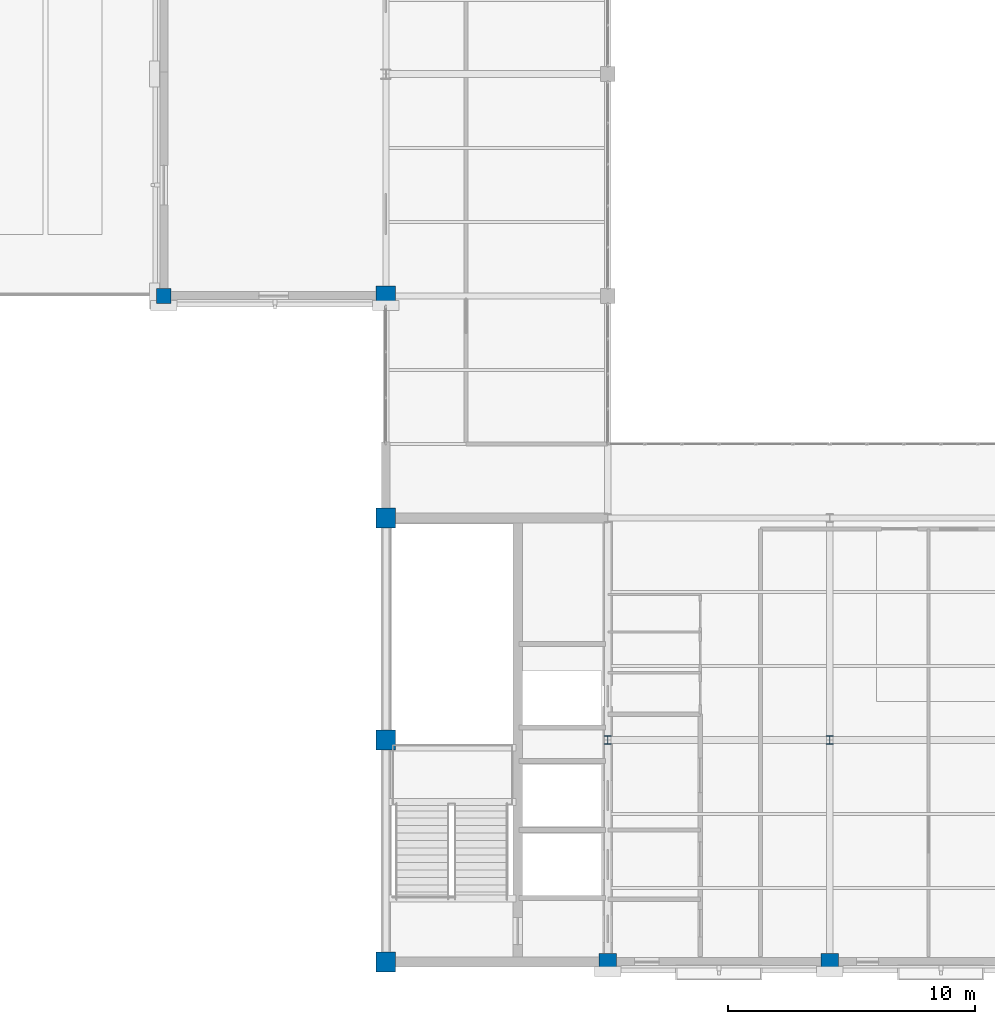
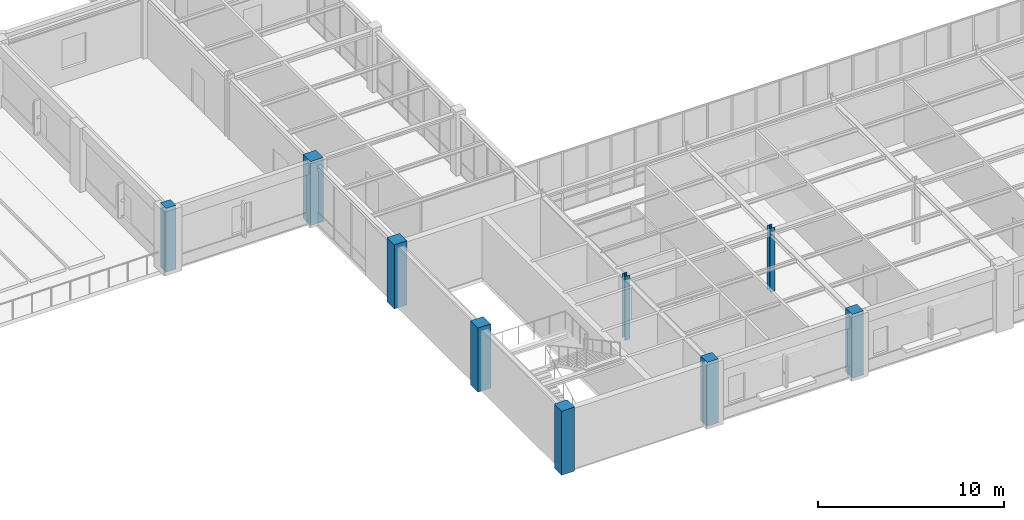
# One storey, part 1 of 97: 9 columns.
"""IFC4 building model written with IfcOpenShell, lengths in metres."""

import ifcopenshell
import ifcopenshell.guid

model = None  # the IFC model being written
_history = None  # IfcOwnerHistory: only IFC2X3 demands one
_inside = {}  # id of a spatial element -> (the spatial element, [elements in it])
_under = {}  # id of a project, library or spatial element -> (it, [spatial elements below it])
_declared = {}  # id of a project -> (the project, [libraries it declares])
_typed = {}  # id of a type object -> (the type object, [elements of that type])
_made_of = {}  # id of a material, layer set ... -> (it, [elements and type objects made of it])


def new_model(schema):
    """Start an empty IFC model of exactly this schema.

    Asked for "IFC4X3", IfcOpenShell would pick the latest addendum, in which some entities
    have other attributes; the version numbers below select the first issue.
    IFC2X3 requires an IfcOwnerHistory on every rooted entity: one is made here for all.
    """
    global model, _history
    if schema == "IFC4X3":
        model = ifcopenshell.file(schema_version=(4, 3, 0, 0))
    else:
        model = ifcopenshell.file(schema=schema)
    _inside.clear()
    _under.clear()
    _declared.clear()
    _typed.clear()
    _made_of.clear()
    _history = None
    if model.schema == "IFC2X3":
        org = make("IfcOrganization", Name="unknown")
        user = make(
            "IfcPersonAndOrganization",
            ThePerson=make("IfcPerson", FamilyName="unknown"),
            TheOrganization=org,
        )
        app = make(
            "IfcApplication",
            ApplicationDeveloper=org,
            Version="unknown",
            ApplicationFullName="unknown",
            ApplicationIdentifier="unknown",
        )
        _history = make(
            "IfcOwnerHistory",
            OwningUser=user,
            OwningApplication=app,
            ChangeAction="ADDED",
            CreationDate=0,
        )
    return model


def make(cls, **values):
    """One entity of the class cls with the attributes given. An attribute that is None is left unset."""
    return model.create_entity(
        cls, **{name: value for name, value in values.items() if value is not None}
    )


def rooted(cls, **values):
    """An entity with a GlobalId (a new one), such as an element, a storey or a relation."""
    return make(cls, GlobalId=ifcopenshell.guid.new(), OwnerHistory=_history, **values)


def si_unit(unit_type, name, prefix=None):
    """IfcSIUnit, for example si_unit("LENGTHUNIT", "METRE", prefix="MILLI")."""
    return make("IfcSIUnit", UnitType=unit_type, Prefix=prefix, Name=name)


def assignment(units):
    """IfcUnitAssignment: the units of a project."""
    return None if units is None else make("IfcUnitAssignment", Units=units)


def point(xyz):
    """IfcCartesianPoint."""
    return None if xyz is None else make("IfcCartesianPoint", Coordinates=xyz)


def direction(xyz):
    """IfcDirection."""
    return None if xyz is None else make("IfcDirection", DirectionRatios=xyz)


def frame(location, z_axis=None, x_axis=None):
    """IfcAxis2Placement3D, a coordinate frame: its origin and axes. An axis left out is left unset."""
    return make(
        "IfcAxis2Placement3D",
        Location=point(location),
        Axis=direction(z_axis),
        RefDirection=direction(x_axis),
    )


def frame_2d(location, x_axis=None):
    """IfcAxis2Placement2D, a coordinate frame in the plane: its origin and x axis."""
    return make(
        "IfcAxis2Placement2D", Location=point(location), RefDirection=direction(x_axis)
    )


def origin():
    """The frame at (0, 0, 0) with its axes left unset."""
    return frame((0.0, 0.0, 0.0))


def origin_2d():
    """The frame at (0, 0) in the plane with its x axis left unset."""
    return frame_2d((0.0, 0.0))


def place(relative_to, where):
    """IfcLocalPlacement: puts the frame where relative to a parent placement (None: the world)."""
    return make(
        "IfcLocalPlacement", PlacementRelTo=relative_to, RelativePlacement=where
    )


def context(
    kind, dimensions, precision=None, world=None, true_north=None, identifier=None
):
    """IfcGeometricRepresentationContext, for example the 3D "Model" context."""
    return make(
        "IfcGeometricRepresentationContext",
        ContextIdentifier=identifier,
        ContextType=kind,
        CoordinateSpaceDimension=dimensions,
        Precision=precision,
        WorldCoordinateSystem=world,
        TrueNorth=true_north,
    )


def subcontext(parent, identifier, kind, view, scale=None):
    """IfcGeometricRepresentationSubContext, for example "Body" below "Model"."""
    return make(
        "IfcGeometricRepresentationSubContext",
        ContextIdentifier=identifier,
        ContextType=kind,
        ParentContext=parent,
        TargetScale=scale,
        TargetView=view,
    )


def project(units=None, contexts=None):
    """IfcProject with its units and contexts."""
    return rooted(
        "IfcProject",
        Name="project",
        RepresentationContexts=contexts,
        UnitsInContext=assignment(units),
    )


def spatial(cls, under=None, at=None, **own):
    """A site, building, storey or space (cls), placed at a placement, below another one or the project."""
    s = rooted(cls, ObjectPlacement=at, **own)
    if under is not None:
        _under.setdefault(under.id(), (under, []))[1].append(s)
    return s


def profile(cls, at=None, kind="AREA", **sizes):
    """A parametric profile (cls). Its sizes go by their IFC names, for example OverallWidth=200.0."""
    return make(cls, ProfileType=kind, Position=at, **sizes)


def rectangle(**sizes):
    """IfcRectangleProfileDef."""
    return profile("IfcRectangleProfileDef", **sizes)


def i_section(**sizes):
    """IfcIShapeProfileDef."""
    return profile("IfcIShapeProfileDef", **sizes)


def extrude(swept, where, along, depth):
    """IfcExtrudedAreaSolid: the profile swept, set in the frame where, extruded along a direction by depth."""
    return make(
        "IfcExtrudedAreaSolid",
        SweptArea=swept,
        Position=where,
        ExtrudedDirection=direction(along),
        Depth=depth,
    )


def shape(context_of_items, identifier, shape_type, items):
    """IfcShapeRepresentation: the items that make up one representation, for example the "Body"."""
    return make(
        "IfcShapeRepresentation",
        ContextOfItems=context_of_items,
        RepresentationIdentifier=identifier,
        RepresentationType=shape_type,
        Items=items,
    )


def material(Name=None, Category=None):
    """IfcMaterial."""
    return make("IfcMaterial", Name=Name, Category=Category)


def material_profile(
    of_material, cross_section, Name=None, Category=None, Priority=None
):
    """IfcMaterialProfile: a cross section and its material."""
    return make(
        "IfcMaterialProfile",
        Name=Name,
        Material=of_material,
        Profile=cross_section,
        Priority=Priority,
        Category=Category,
    )


def profile_set(profiles, Name=None, composite=None):
    """IfcMaterialProfileSet."""
    return make(
        "IfcMaterialProfileSet",
        Name=Name,
        MaterialProfiles=profiles,
        CompositeProfile=composite,
    )


def made_of(thing, what):
    """Note that an element or type object is made of a material, layer set ...; save() writes the relation."""
    if what is not None:
        _made_of.setdefault(what.id(), (what, []))[1].append(thing)
    return thing


def type_object(cls, material=None, **own):
    """A type object (cls), such as IfcWallType, which elements share."""
    return made_of(rooted(cls, **own), material)


def element(
    cls,
    number,
    at=None,
    inside=None,
    cuts=None,
    type_object=None,
    material=None,
    context=None,
    identifier="Body",
    shape_type=None,
    held_by="IfcProductDefinitionShape",
    body=None,
    shapes=None,
    **own,
):
    """One element of the class cls, such as IfcWall. Its Tag is "e" and its number.

    at: its placement. inside: the storey or other place that contains it. cuts: it is an
    opening in that element (IfcRelVoidsElement). A single representation is given by context,
    identifier, shape_type and body (its items); several are given by shapes. held_by: the class
    of the entity that holds the representations. save() writes the other relations.
    """
    e = rooted(cls, Tag="e%d" % number, ObjectPlacement=at, **own)
    if body is not None:
        shapes = [shape(context, identifier, shape_type, body)]
    if shapes is not None:
        e.Representation = make(held_by, Representations=shapes)
    if inside is not None:
        _inside.setdefault(inside.id(), (inside, []))[1].append(e)
    if cuts is not None:
        rooted(
            "IfcRelVoidsElement", RelatingBuildingElement=cuts, RelatedOpeningElement=e
        )
    if type_object is not None:
        _typed.setdefault(type_object.id(), (type_object, []))[1].append(e)
    return made_of(e, material)


def aggregate(whole, parts):
    """IfcRelAggregates: a whole, such as a stair, and the parts it consists of."""
    return rooted("IfcRelAggregates", RelatingObject=whole, RelatedObjects=parts)


def save(model, path):
    """Write the relations noted so far, then the file.

    IfcRelAggregates (storeys below a building ...), IfcRelContainedInSpatialStructure (elements
    in a storey), IfcRelDefinesByType, IfcRelAssociatesMaterial and IfcRelDeclares: one each for
    every whole, place, type object, material and project.
    """
    for whole, parts in _under.values():
        aggregate(whole, parts)
    for where, things in _inside.values():
        rooted(
            "IfcRelContainedInSpatialStructure",
            RelatedElements=things,
            RelatingStructure=where,
        )
    for kind, things in _typed.values():
        rooted("IfcRelDefinesByType", RelatedObjects=things, RelatingType=kind)
    for what, things in _made_of.values():
        rooted("IfcRelAssociatesMaterial", RelatedObjects=things, RelatingMaterial=what)
    for by, libraries in _declared.values():
        rooted("IfcRelDeclares", RelatingContext=by, RelatedDefinitions=libraries)
    model.write(path)


model = new_model("IFC4")

# Units and contexts
model_context = context("Model", 3, precision=1e-05, world=origin(), true_north=direction((0.0, 1.0)))
body_context = subcontext(model_context, "Body", "Model", "MODEL_VIEW")
ifc_project = project(units=[si_unit("LENGTHUNIT", "METRE"), si_unit("AREAUNIT", "SQUARE_METRE"), si_unit("VOLUMEUNIT", "CUBIC_METRE"), si_unit("PLANEANGLEUNIT", "RADIAN"), si_unit("MASSUNIT", "GRAM", prefix="KILO")], contexts=[model_context])

# Site, building, storey
site_placement = place(None, origin())
site = spatial("IfcSite", under=ifc_project, at=site_placement, CompositionType="ELEMENT")
building_placement = place(site_placement, origin())
building = spatial("IfcBuilding", under=site, at=building_placement, Name="Lykobir Media Centre", CompositionType="ELEMENT")
storey_placement = place(building_placement, frame((0.0, 0.0, 23.39990234375)))
storey = spatial("IfcBuildingStorey", under=building, at=storey_placement, Name="L05", CompositionType="ELEMENT", Elevation=23.39990234375)

# Columns
ifc_material_1 = material(Name="Concrete C40/50", Category="concrete")
ifc_material_profile_1 = material_profile(ifc_material_1, rectangle(XDim=0.60009765625, YDim=0.60009765625, at=origin_2d()), Name="RC 600x600")
ifc_profile_set_1 = profile_set([ifc_material_profile_1], Name="Concrete C40/50")
column_type_1 = type_object("IfcColumnType", Name="RC-C600", PredefinedType="COLUMN", material=ifc_profile_set_1)
column_1_placement = place(storey_placement, frame((18.0, 27.0, 0.0), z_axis=(0.0, 0.0, 1.0), x_axis=(1.0, 0.0, 0.0)))
element("IfcColumn", 1, at=column_1_placement, inside=storey, type_object=column_type_1, Name="Column COL-L05-0180-0270", PredefinedType="COLUMN", context=body_context, shape_type="SweptSolid", body=[
    extrude(rectangle(XDim=0.60009765625, YDim=0.60009765625, at=origin_2d()), origin(), (0.0, 0.0, 1.0), 4.2001953125),
])
ifc_material_profile_2 = material_profile(ifc_material_1, rectangle(XDim=0.699951171875, YDim=0.699951171875, at=origin_2d()), Name="RC 700x700")
ifc_profile_set_2 = profile_set([ifc_material_profile_2], Name="Concrete C40/50")
column_type_2 = type_object("IfcColumnType", Name="RC-C700-E", PredefinedType="COLUMN", material=ifc_profile_set_2)
for number, where, z_axis, x_axis, name in (
    (2, (36.0, 0.0, 0.0), (0.0, 0.0, 1.0), (1.0, 0.0, 0.0), "Column COL-L05-0360-0000"),
    (3, (45.0, 0.0, 0.0), (0.0, 0.0, 1.0), (1.0, 0.0, 0.0), "Column COL-L05-0450-0000"),
):
    element("IfcColumn", number, at=place(storey_placement, frame(where, z_axis=z_axis, x_axis=x_axis)), inside=storey, type_object=column_type_2, Name=name, PredefinedType="COLUMN", context=body_context, shape_type="SweptSolid", body=[
        extrude(rectangle(XDim=0.699951171875, YDim=0.699951171875, at=origin_2d()), origin(), (0.0, 0.0, 1.0), 4.2001953125),
    ])
ifc_material_profile_3 = material_profile(ifc_material_1, rectangle(XDim=0.800048828125, YDim=0.800048828125, at=origin_2d()), Name="RC 800x800")
ifc_profile_set_3 = profile_set([ifc_material_profile_3], Name="Concrete C40/50")
column_type_3 = type_object("IfcColumnType", Name="RC-C800", PredefinedType="COLUMN", material=ifc_profile_set_3)
for number, where, z_axis, x_axis, name in (
    (4, (27.0, 9.0, 0.0), (0.0, 0.0, 1.0), (1.0, 0.0, 0.0), "Column COL-L05-0270-0090"),
    (5, (27.0, 18.0, 0.0), (0.0, 0.0, 1.0), (1.0, 0.0, 0.0), "Column COL-L05-0270-0180"),
    (6, (27.0, 27.0, 0.0), (0.0, 0.0, 1.0), (1.0, 0.0, 0.0), "Column COL-L05-0270-0270"),
):
    element("IfcColumn", number, at=place(storey_placement, frame(where, z_axis=z_axis, x_axis=x_axis)), inside=storey, type_object=column_type_3, Name=name, PredefinedType="COLUMN", context=body_context, shape_type="SweptSolid", body=[
        extrude(rectangle(XDim=0.800048828125, YDim=0.800048828125, at=origin_2d()), origin(), (0.0, 0.0, 1.0), 4.2001953125),
    ])
ifc_material_profile_4 = material_profile(ifc_material_1, rectangle(XDim=0.800048828125, YDim=0.800048828125, at=origin_2d()), Name="RC 800x800")
ifc_profile_set_4 = profile_set([ifc_material_profile_4], Name="Concrete C40/50")
column_type_4 = type_object("IfcColumnType", Name="RC-C800-E", PredefinedType="COLUMN", material=ifc_profile_set_4)
column_2_placement = place(storey_placement, frame((27.0, 0.0, 0.0), z_axis=(0.0, 0.0, 1.0), x_axis=(1.0, 0.0, 0.0)))
element("IfcColumn", 7, at=column_2_placement, inside=storey, type_object=column_type_4, Name="Column COL-L05-0270-0000", PredefinedType="COLUMN", context=body_context, shape_type="SweptSolid", body=[
    extrude(rectangle(XDim=0.800048828125, YDim=0.800048828125, at=origin_2d()), origin(), (0.0, 0.0, 1.0), 4.2001953125),
])
ifc_material_2 = material(Name="Steel S355", Category="steel")
ifc_material_profile_5 = material_profile(ifc_material_2, i_section(OverallWidth=0.300048828125, OverallDepth=0.340087890625, WebThickness=0.011962890625, FlangeThickness=0.021484375, at=origin_2d()), Name="HEB 340")
ifc_profile_set_5 = profile_set([ifc_material_profile_5], Name="Steel S355")
column_type_5 = type_object("IfcColumnType", Name="SC-HEB340", PredefinedType="COLUMN", material=ifc_profile_set_5)
for number, where, z_axis, x_axis, name in (
    (8, (36.0, 9.0, 0.0), (0.0, 0.0, 1.0), (1.0, 0.0, 0.0), "Column COL-L05-0360-0090"),
    (9, (45.0, 9.0, 0.0), (0.0, 0.0, 1.0), (1.0, 0.0, 0.0), "Column COL-L05-0450-0090"),
):
    element("IfcColumn", number, at=place(storey_placement, frame(where, z_axis=z_axis, x_axis=x_axis)), inside=storey, type_object=column_type_5, Name=name, PredefinedType="COLUMN", context=body_context, shape_type="SweptSolid", body=[
        extrude(i_section(OverallWidth=0.300048828125, OverallDepth=0.340087890625, WebThickness=0.011962890625, FlangeThickness=0.021484375, at=origin_2d()), origin(), (0.0, 0.0, 1.0), 4.2001953125),
    ])

save(model, "model.ifc")
